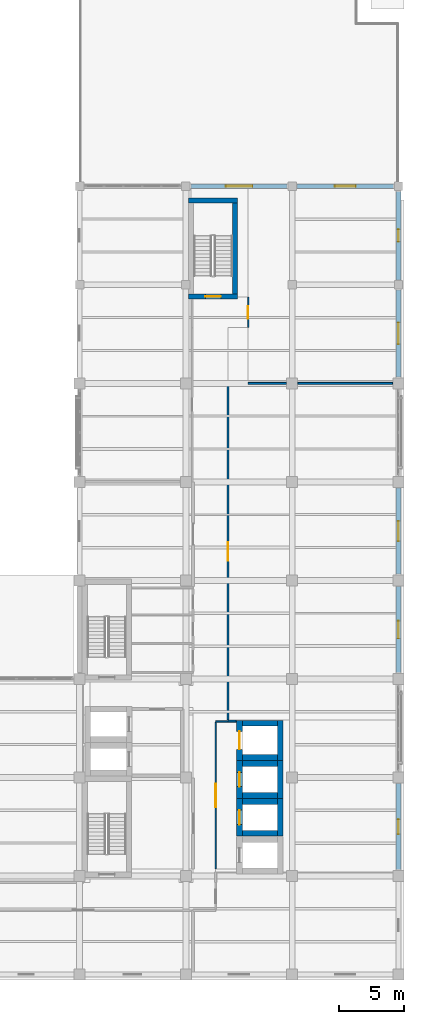
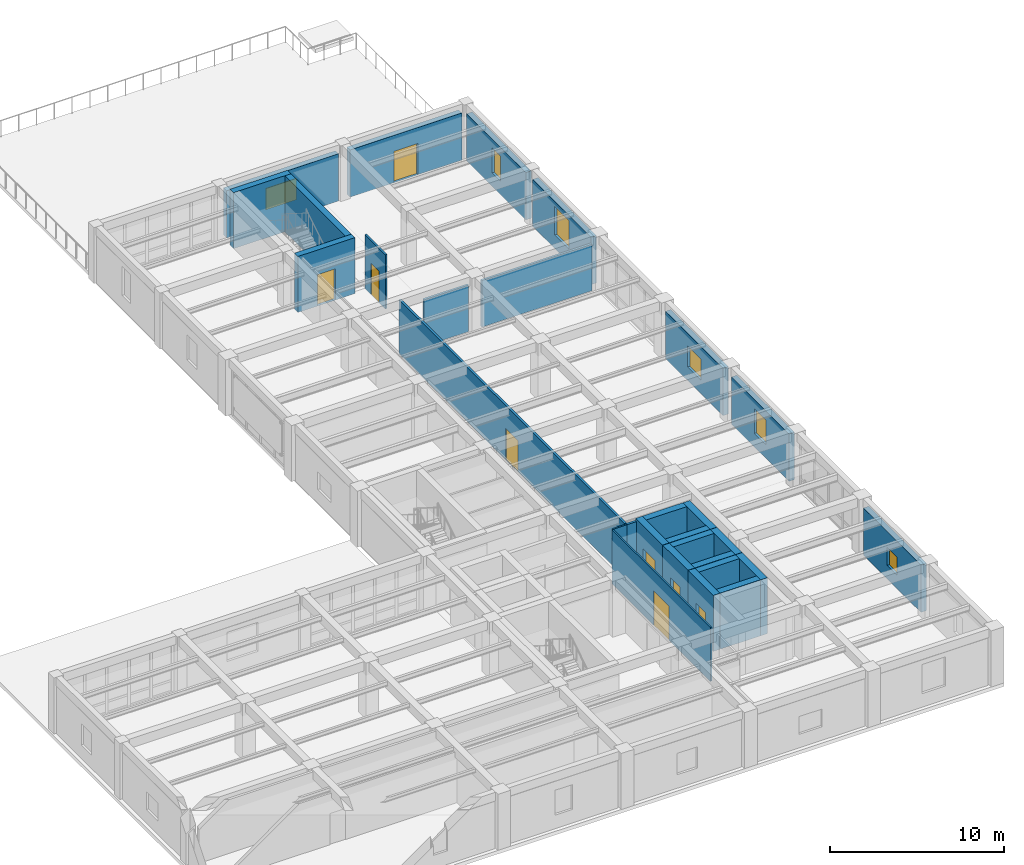
# One storey, part 13 of 22: 29 walls, 8 doors, 6 windows, 14 openings.
"""IFC4 building model written with IfcOpenShell, lengths in metres."""

from ifc_helpers import new_model, si_unit, direction, frame, frame_2d, origin, place, context, subcontext, project, spatial, rectangle, extrude, material, layer, layer_set, type_object, element, fill, save


model = new_model("IFC4")

# Units and contexts
model_context = context("Model", 3, precision=1e-05, world=origin(), true_north=direction((0.0, 1.0)))
body_context = subcontext(model_context, "Body", "Model", "MODEL_VIEW")
ifc_project = project(units=[si_unit("LENGTHUNIT", "METRE"), si_unit("AREAUNIT", "SQUARE_METRE"), si_unit("VOLUMEUNIT", "CUBIC_METRE"), si_unit("PLANEANGLEUNIT", "RADIAN"), si_unit("MASSUNIT", "GRAM", prefix="KILO")], contexts=[model_context])

# Site, building, storey
site_placement = place(None, origin())
site = spatial("IfcSite", under=ifc_project, at=site_placement, CompositionType="ELEMENT")
building_placement = place(site_placement, origin())
building = spatial("IfcBuilding", under=site, at=building_placement, Name="Qandaris Square Conservatory and Botanical Centre", CompositionType="ELEMENT")
storey_placement = place(building_placement, frame((0.0, 0.0, 19.800048828125)))
storey = spatial("IfcBuildingStorey", under=building, at=storey_placement, Name="L04", CompositionType="ELEMENT", Elevation=19.800048828125)

# Wall
ifc_material_1 = material(Name="Gypsum Plasterboard", Category="gypsum")
ifc_layer_1 = layer(ifc_material_1, 0.14990234375)
ifc_layer_set_1 = layer_set([ifc_layer_1], Name="Gypsum Plasterboard")
wall_type_1 = type_object("IfcWallType", Name="Acoustic Laboratory Partition 150mm", PredefinedType="PARTITIONING", material=ifc_layer_set_1)
wall_1_placement = place(storey_placement, frame((150.64990234375, 36.14990234375, 0.0), z_axis=(0.0, 0.0, 1.0), x_axis=(1.0, 0.0, 0.0)))
element("IfcWall", 1, at=wall_1_placement, inside=storey, type_object=wall_type_1, Name="Interior Partition IW-L04-0191", PredefinedType="PARTITIONING", context=body_context, shape_type="SweptSolid", body=[
    extrude(rectangle(XDim=0.6201171875, YDim=0.14990234375, at=frame_2d((0.31005859375, 0.0))), origin(), (0.0, 0.0, 1.0), 3.804931640625),
])

# Wall, opening, door
wall_2_placement = place(storey_placement, frame((150.64990234375, 62.199951171875, 0.0), z_axis=(0.0, 0.0, 1.0), x_axis=(0.0, -1.0, 0.0)))
wall_2 = element("IfcWall", 2, at=wall_2_placement, inside=storey, type_object=wall_type_1, Name="Interior Partition IW-L04-0202", PredefinedType="PARTITIONING", context=body_context, shape_type="SweptSolid", body=[
    extrude(rectangle(XDim=25.949951171875, YDim=0.14990234375, at=frame_2d((12.97509765625, 0.0))), origin(), (0.0, 0.0, 1.0), 3.804931640625),
])
opening_1_placement = place(wall_2_placement, frame((12.27490234375, 0.0, 0.0)))
opening_1 = element("IfcOpeningElement", 3, at=opening_1_placement, cuts=wall_2, Name="Opening D-LAB1", PredefinedType="OPENING", context=body_context, shape_type="SweptSolid", body=[
    extrude(rectangle(XDim=1.39990234375, YDim=2.199951171875, at=frame_2d((0.699951171875, 1.10009765625))), frame((0.0, 0.0869140625, 0.0), z_axis=(0.0, -1.0, 0.0), x_axis=(1.0, 0.0, 0.0)), (0.0, 0.0, 1.0), 0.173828125),
])
ifc_material_2 = material(Name="Engineered Oak Timber", Category="wood")
door_type_1 = type_object("IfcDoorType", Name="Research Laboratory Leaf-and-Half Door 1400x2200", OperationType="DOUBLE_DOOR_SINGLE_SWING", PredefinedType="DOOR", material=ifc_material_2)
door_1_placement = place(opening_1_placement, frame((1.39990234375, 0.0, 0.0), z_axis=(0.0, 0.0, 1.0), x_axis=(-1.0, 0.0, 0.0)))
door_1 = element("IfcDoor", 4, at=door_1_placement, inside=storey, type_object=door_type_1, Name="DR-0178 Halophyte Salt-Tolerance Analytical Laboratory Door", OperationType="DOUBLE_DOOR_SINGLE_SWING", OverallHeight=2.199951171875, OverallWidth=1.39990234375, PredefinedType="DOOR", context=body_context, shape_type="SweptSolid", body=[
    extrude(rectangle(XDim=1.39990234375, YDim=2.199951171875, at=frame_2d((0.699951171875, 1.10009765625))), frame((0.0, 0.02490234375, 0.0), z_axis=(0.0, -1.0, 0.0), x_axis=(1.0, 0.0, 0.0)), (0.0, 0.0, 1.0), 0.050048828125),
])
fill(opening_1, door_1)

# Walls
wall_3_placement = place(storey_placement, frame((152.199951171875, 62.199951171875, 0.0), z_axis=(0.0, 0.0, 1.0), x_axis=(1.0, 0.0, 0.0)))
element("IfcWall", 5, at=wall_3_placement, inside=storey, type_object=wall_type_1, Name="Interior Partition IW-L04-0210", PredefinedType="PARTITIONING", context=body_context, shape_type="SweptSolid", body=[
    extrude(rectangle(XDim=2.955078125, YDim=0.14990234375, at=frame_2d((1.4775390625, 0.0))), origin(), (0.0, 0.0, 1.0), 3.27490234375),
])
wall_4_placement = place(storey_placement, frame((156.044921875, 62.199951171875, 0.0), z_axis=(0.0, 0.0, 1.0), x_axis=(1.0, 0.0, 0.0)))
element("IfcWall", 6, at=wall_4_placement, inside=storey, type_object=wall_type_1, Name="Interior Partition IW-L04-0211", PredefinedType="PARTITIONING", context=body_context, shape_type="SweptSolid", body=[
    extrude(rectangle(XDim=7.31005859375, YDim=0.14990234375, at=frame_2d((3.655029296875, 0.0))), origin(), (0.0, 0.0, 1.0), 3.27490234375),
])

# Wall, opening, window
ifc_material_3 = material(Name="Precast concrete C40/50", Category="concrete")
ifc_layer_2 = layer(ifc_material_3, 0.360107421875)
ifc_layer_set_2 = layer_set([ifc_layer_2], Name="Precast concrete C40/50")
wall_type_2 = type_object("IfcWallType", Name="Architectural Precast Cladding Wall 360mm", PredefinedType="SOLIDWALL", material=ifc_layer_set_2)
wall_5_placement = place(storey_placement, frame((163.800048828125, 24.68505859375, 0.0), z_axis=(0.0, 0.0, 1.0), x_axis=(0.0, 1.0, 0.0)))
wall_5 = element("IfcWall", 7, at=wall_5_placement, inside=storey, type_object=wall_type_2, Name="Exterior Wall EW-TWR-L04-2-2", PredefinedType="SOLIDWALL", context=body_context, shape_type="SweptSolid", body=[
    extrude(rectangle(XDim=6.6298828125, YDim=0.360107421875, at=frame_2d((3.31494140625, 0.0))), origin(), (0.0, 0.0, 1.0), 3.324951171875),
])
opening_2_placement = place(wall_5_placement, frame((2.739990234375, 0.0, 0.949951171875)))
opening_2 = element("IfcOpeningElement", 8, at=opening_2_placement, cuts=wall_5, Name="Opening WN-17", PredefinedType="OPENING", context=body_context, shape_type="SweptSolid", body=[
    extrude(rectangle(XDim=1.14990234375, YDim=1.25, at=frame_2d((0.574951171875, 0.625))), frame((0.0, 0.19189453125, 0.0), z_axis=(0.0, -1.0, 0.0), x_axis=(1.0, 0.0, 0.0)), (0.0, 0.0, 1.0), 0.384033203125),
])
ifc_material_4 = material(Name="Tempered Low-E Glass", Category="glass")
window_type_1 = type_object("IfcWindowType", Name="Solar Control Window 1150x1250", PartitioningType="SINGLE_PANEL", PredefinedType="WINDOW", material=ifc_material_4)
window_1_placement = place(opening_2_placement, origin())
window_1 = element("IfcWindow", 9, at=window_1_placement, inside=storey, type_object=window_type_1, Name="Window EW-TWR-L04-2-2", OverallHeight=1.25, OverallWidth=1.14990234375, PartitioningType="SINGLE_PANEL", PredefinedType="WINDOW", context=body_context, shape_type="SweptSolid", body=[
    extrude(rectangle(XDim=1.14990234375, YDim=1.25, at=frame_2d((0.574951171875, 0.625))), frame((0.0, 0.030029296875, 0.0), z_axis=(0.0, -1.0, 0.0), x_axis=(1.0, 0.0, 0.0)), (0.0, 0.0, 1.0), 0.06005859375),
])
fill(opening_2, window_1)

wall_6_placement = place(storey_placement, frame((163.800048828125, 39.885009765625, 0.0), z_axis=(0.0, 0.0, 1.0), x_axis=(0.0, 1.0, 0.0)))
wall_6 = element("IfcWall", 10, at=wall_6_placement, inside=storey, type_object=wall_type_2, Name="Exterior Wall EW-TWR-L04-2-4", PredefinedType="SOLIDWALL", context=body_context, shape_type="SweptSolid", body=[
    extrude(rectangle(XDim=6.6298828125, YDim=0.360107421875, at=frame_2d((3.31494140625, 0.0))), origin(), (0.0, 0.0, 1.0), 3.324951171875),
])
opening_3_placement = place(wall_6_placement, frame((2.639892578125, 0.0, 0.949951171875)))
opening_3 = element("IfcOpeningElement", 11, at=opening_3_placement, cuts=wall_6, Name="Opening WN-23", PredefinedType="OPENING", context=body_context, shape_type="SweptSolid", body=[
    extrude(rectangle(XDim=1.35009765625, YDim=1.75, at=frame_2d((0.675048828125, 0.875))), frame((0.0, 0.19189453125, 0.0), z_axis=(0.0, -1.0, 0.0), x_axis=(1.0, 0.0, 0.0)), (0.0, 0.0, 1.0), 0.384033203125),
])
window_type_2 = type_object("IfcWindowType", Name="Solar Control Window 1350x1750", PartitioningType="SINGLE_PANEL", PredefinedType="WINDOW", material=ifc_material_4)
window_2_placement = place(opening_3_placement, origin())
window_2 = element("IfcWindow", 12, at=window_2_placement, inside=storey, type_object=window_type_2, Name="Window EW-TWR-L04-2-4", OverallHeight=1.75, OverallWidth=1.35009765625, PartitioningType="SINGLE_PANEL", PredefinedType="WINDOW", context=body_context, shape_type="SweptSolid", body=[
    extrude(rectangle(XDim=1.35009765625, YDim=1.75, at=frame_2d((0.675048828125, 0.875))), frame((0.0, 0.030029296875, 0.0), z_axis=(0.0, -1.0, 0.0), x_axis=(1.0, 0.0, 0.0)), (0.0, 0.0, 1.0), 0.06005859375),
])
fill(opening_3, window_2)

wall_7_placement = place(storey_placement, frame((163.800048828125, 47.485107421875, 0.0), z_axis=(0.0, 0.0, 1.0), x_axis=(0.0, 1.0, 0.0)))
wall_7 = element("IfcWall", 13, at=wall_7_placement, inside=storey, type_object=wall_type_2, Name="Exterior Wall EW-TWR-L04-2-5", PredefinedType="SOLIDWALL", context=body_context, shape_type="SweptSolid", body=[
    extrude(rectangle(XDim=6.6298828125, YDim=0.360107421875, at=frame_2d((3.31494140625, 0.0))), origin(), (0.0, 0.0, 1.0), 3.324951171875),
])
opening_4_placement = place(wall_7_placement, frame((2.5400390625, 0.0, 0.949951171875)))
opening_4 = element("IfcOpeningElement", 14, at=opening_4_placement, cuts=wall_7, Name="Opening WN-26", PredefinedType="OPENING", context=body_context, shape_type="SweptSolid", body=[
    extrude(rectangle(XDim=1.550048828125, YDim=1.5, at=frame_2d((0.77490234375, 0.75))), frame((0.0, 0.19189453125, 0.0), z_axis=(0.0, -1.0, 0.0), x_axis=(1.0, 0.0, 0.0)), (0.0, 0.0, 1.0), 0.384033203125),
])
window_type_3 = type_object("IfcWindowType", Name="Solar Control Window 1550x1500", PartitioningType="DOUBLE_PANEL_VERTICAL", PredefinedType="WINDOW", material=ifc_material_4)
window_3_placement = place(opening_4_placement, origin())
window_3 = element("IfcWindow", 15, at=window_3_placement, inside=storey, type_object=window_type_3, Name="Window EW-TWR-L04-2-5", OverallHeight=1.5, OverallWidth=1.550048828125, PartitioningType="DOUBLE_PANEL_VERTICAL", PredefinedType="WINDOW", context=body_context, shape_type="SweptSolid", body=[
    extrude(rectangle(XDim=1.550048828125, YDim=1.5, at=frame_2d((0.77490234375, 0.75))), frame((0.0, 0.030029296875, 0.0), z_axis=(0.0, -1.0, 0.0), x_axis=(1.0, 0.0, 0.0)), (0.0, 0.0, 1.0), 0.06005859375),
])
fill(opening_4, window_3)

wall_8_placement = place(storey_placement, frame((163.800048828125, 62.68505859375, 0.0), z_axis=(0.0, 0.0, 1.0), x_axis=(0.0, 1.0, 0.0)))
wall_8 = element("IfcWall", 16, at=wall_8_placement, inside=storey, type_object=wall_type_2, Name="Exterior Wall EW-TWR-L04-2-7", PredefinedType="SOLIDWALL", context=body_context, shape_type="SweptSolid", body=[
    extrude(rectangle(XDim=6.72998046875, YDim=0.360107421875, at=frame_2d((3.364990234375, 0.0))), origin(), (0.0, 0.0, 1.0), 3.324951171875),
])
opening_5_placement = place(wall_8_placement, frame((2.5400390625, 0.0, 0.949951171875)))
opening_5 = element("IfcOpeningElement", 17, at=opening_5_placement, cuts=wall_8, Name="Opening WN-08", PredefinedType="OPENING", context=body_context, shape_type="SweptSolid", body=[
    extrude(rectangle(XDim=1.64990234375, YDim=2.0, at=frame_2d((0.824951171875, 1.0))), frame((0.0, 0.19189453125, 0.0), z_axis=(0.0, -1.0, 0.0), x_axis=(1.0, 0.0, 0.0)), (0.0, 0.0, 1.0), 0.384033203125),
])
window_type_4 = type_object("IfcWindowType", Name="Seminar Courtyard Window 1650x2000", PartitioningType="DOUBLE_PANEL_VERTICAL", PredefinedType="WINDOW", material=ifc_material_4)
window_4_placement = place(opening_5_placement, origin())
window_4 = element("IfcWindow", 18, at=window_4_placement, inside=storey, type_object=window_type_4, Name="Window EW-TWR-L04-2-7", OverallHeight=2.0, OverallWidth=1.64990234375, PartitioningType="DOUBLE_PANEL_VERTICAL", PredefinedType="WINDOW", context=body_context, shape_type="SweptSolid", body=[
    extrude(rectangle(XDim=1.64990234375, YDim=2.0, at=frame_2d((0.824951171875, 1.0))), frame((0.0, 0.030029296875, 0.0), z_axis=(0.0, -1.0, 0.0), x_axis=(1.0, 0.0, 0.0)), (0.0, 0.0, 1.0), 0.06005859375),
])
fill(opening_5, window_4)

wall_9_placement = place(storey_placement, frame((163.800048828125, 70.18505859375, 0.0), z_axis=(0.0, 0.0, 1.0), x_axis=(0.0, 1.0, 0.0)))
wall_9 = element("IfcWall", 19, at=wall_9_placement, inside=storey, type_object=wall_type_2, Name="Exterior Wall EW-TWR-L04-2-8", PredefinedType="SOLIDWALL", context=body_context, shape_type="SweptSolid", body=[
    extrude(rectangle(XDim=6.829833984375, YDim=0.360107421875, at=frame_2d((3.4150390625, 0.0))), origin(), (0.0, 0.0, 1.0), 3.324951171875),
])
opening_6_placement = place(wall_9_placement, frame((2.93994140625, 0.0, 0.949951171875)))
opening_6 = element("IfcOpeningElement", 20, at=opening_6_placement, cuts=wall_9, Name="Opening WN-15", PredefinedType="OPENING", context=body_context, shape_type="SweptSolid", body=[
    extrude(rectangle(XDim=0.949951171875, YDim=1.75, at=frame_2d((0.47509765625, 0.875))), frame((0.0, 0.19189453125, 0.0), z_axis=(0.0, -1.0, 0.0), x_axis=(1.0, 0.0, 0.0)), (0.0, 0.0, 1.0), 0.384033203125),
])
window_type_5 = type_object("IfcWindowType", Name="Solar Control Window 950x1750", PartitioningType="SINGLE_PANEL", PredefinedType="WINDOW", material=ifc_material_4)
window_5_placement = place(opening_6_placement, origin())
window_5 = element("IfcWindow", 21, at=window_5_placement, inside=storey, type_object=window_type_5, Name="Window EW-TWR-L04-2-8", OverallHeight=1.75, OverallWidth=0.949951171875, PartitioningType="SINGLE_PANEL", PredefinedType="WINDOW", context=body_context, shape_type="SweptSolid", body=[
    extrude(rectangle(XDim=0.949951171875, YDim=1.75, at=frame_2d((0.47509765625, 0.875))), frame((0.0, 0.030029296875, 0.0), z_axis=(0.0, -1.0, 0.0), x_axis=(1.0, 0.0, 0.0)), (0.0, 0.0, 1.0), 0.06005859375),
])
fill(opening_6, window_5)

# Wall, opening, door
wall_10_placement = place(storey_placement, frame((163.4150390625, 77.39990234375, 0.0), z_axis=(0.0, 0.0, 1.0), x_axis=(-1.0, 0.0, 0.0)))
wall_10 = element("IfcWall", 22, at=wall_10_placement, inside=storey, type_object=wall_type_2, Name="Exterior Wall EW-TWR-L04-3-1", PredefinedType="SOLIDWALL", context=body_context, shape_type="SweptSolid", body=[
    extrude(rectangle(XDim=7.429931640625, YDim=0.360107421875, at=frame_2d((3.71484375, 0.0))), origin(), (0.0, 0.0, 1.0), 3.324951171875),
])
opening_7_placement = place(wall_10_placement, frame((2.9150390625, 0.0, 0.0)))
opening_7 = element("IfcOpeningElement", 23, at=opening_7_placement, cuts=wall_10, Name="Opening ED-T4", PredefinedType="OPENING", context=body_context, shape_type="SweptSolid", body=[
    extrude(rectangle(XDim=1.60009765625, YDim=2.199951171875, at=frame_2d((0.800048828125, 1.10009765625))), frame((0.0, 0.19189453125, 0.0), z_axis=(0.0, -1.0, 0.0), x_axis=(1.0, 0.0, 0.0)), (0.0, 0.0, 1.0), 0.384033203125),
])
ifc_material_5 = material(Name="Anodised Aluminium", Category="aluminium")
door_type_2 = type_object("IfcDoorType", Name="Terrace Garden Glazed Access Door 1600x2200", OperationType="DOUBLE_DOOR_SINGLE_SWING", PredefinedType="DOOR", material=ifc_material_5)
door_2_placement = place(opening_7_placement, frame((1.60009765625, 0.0, 0.0), z_axis=(0.0, 0.0, 1.0), x_axis=(-1.0, 0.0, 0.0)))
door_2 = element("IfcDoor", 24, at=door_2_placement, inside=storey, type_object=door_type_2, Name="DR-0191 Exterior Exit Door TD-TER-L04", OperationType="DOUBLE_DOOR_SINGLE_SWING", OverallHeight=2.199951171875, OverallWidth=1.60009765625, PredefinedType="DOOR", context=body_context, shape_type="SweptSolid", body=[
    extrude(rectangle(XDim=1.60009765625, YDim=2.199951171875, at=frame_2d((0.800048828125, 1.10009765625))), frame((0.0, 0.02490234375, 0.0), z_axis=(0.0, -1.0, 0.0), x_axis=(1.0, 0.0, 0.0)), (0.0, 0.0, 1.0), 0.050048828125),
])
fill(opening_7, door_2)

# Wall, opening, window
wall_11_placement = place(storey_placement, frame((155.215087890625, 77.39990234375, 0.0), z_axis=(0.0, 0.0, 1.0), x_axis=(-1.0, 0.0, 0.0)))
wall_11 = element("IfcWall", 25, at=wall_11_placement, inside=storey, type_object=wall_type_2, Name="Exterior Wall EW-TWR-L04-3-2", PredefinedType="SOLIDWALL", context=body_context, shape_type="SweptSolid", body=[
    extrude(rectangle(XDim=7.43017578125, YDim=0.360107421875, at=frame_2d((3.715087890625, 0.0))), origin(), (0.0, 0.0, 1.0), 3.324951171875),
])
opening_8_placement = place(wall_11_placement, frame((2.68994140625, 0.0, 0.949951171875)))
opening_8 = element("IfcOpeningElement", 26, at=opening_8_placement, cuts=wall_11, Name="Opening WN-34", PredefinedType="OPENING", context=body_context, shape_type="SweptSolid", body=[
    extrude(rectangle(XDim=2.050048828125, YDim=1.5, at=frame_2d((1.02490234375, 0.75))), frame((0.0, 0.19189453125, 0.0), z_axis=(0.0, -1.0, 0.0), x_axis=(1.0, 0.0, 0.0)), (0.0, 0.0, 1.0), 0.384033203125),
])
window_type_6 = type_object("IfcWindowType", Name="Solar Control Window 2050x1500", PartitioningType="DOUBLE_PANEL_VERTICAL", PredefinedType="WINDOW", material=ifc_material_4)
window_6_placement = place(opening_8_placement, origin())
window_6 = element("IfcWindow", 27, at=window_6_placement, inside=storey, type_object=window_type_6, Name="Window EW-TWR-L04-3-2", OverallHeight=1.5, OverallWidth=2.050048828125, PartitioningType="DOUBLE_PANEL_VERTICAL", PredefinedType="WINDOW", context=body_context, shape_type="SweptSolid", body=[
    extrude(rectangle(XDim=2.050048828125, YDim=1.5, at=frame_2d((1.02490234375, 0.75))), frame((0.0, 0.030029296875, 0.0), z_axis=(0.0, -1.0, 0.0), x_axis=(1.0, 0.0, 0.0)), (0.0, 0.0, 1.0), 0.06005859375),
])
fill(opening_8, window_6)

# Wall, opening, door
ifc_layer_3 = layer(ifc_material_4, 0.10009765625)
ifc_layer_set_3 = layer_set([ifc_layer_3], Name="Tempered Low-E Glass")
wall_type_3 = type_object("IfcWallType", Name="Framed Acoustic Glazed Gallery Screen 100mm", PredefinedType="PARTITIONING", material=ifc_layer_set_3)
wall_12_placement = place(storey_placement, frame((149.699951171875, 24.75, 0.0), z_axis=(0.0, 0.0, 1.0), x_axis=(0.0, 1.0, 0.0)))
wall_12 = element("IfcWall", 28, at=wall_12_placement, inside=storey, type_object=wall_type_3, Name="Interior Partition IW-L04-0189", PredefinedType="PARTITIONING", context=body_context, shape_type="SweptSolid", body=[
    extrude(rectangle(XDim=11.300048828125, YDim=0.10009765625, at=frame_2d((5.64990234375, 0.0))), origin(), (0.0, 0.0, 1.0), 3.804931640625),
])
opening_9_placement = place(wall_12_placement, frame((4.75, 0.0, 0.0)))
opening_9 = element("IfcOpeningElement", 29, at=opening_9_placement, cuts=wall_12, Name="Opening D-GL1", PredefinedType="OPENING", context=body_context, shape_type="SweptSolid", body=[
    extrude(rectangle(XDim=1.800048828125, YDim=2.39990234375, at=frame_2d((0.89990234375, 1.199951171875))), frame((0.0, 0.06201171875, 0.0), z_axis=(0.0, -1.0, 0.0), x_axis=(1.0, 0.0, 0.0)), (0.0, 0.0, 1.0), 0.1240234375),
])
door_type_3 = type_object("IfcDoorType", Name="Visitor Gallery Glazed Double Door 1800x2400", OperationType="DOUBLE_DOOR_SINGLE_SWING", PredefinedType="DOOR", material=ifc_material_5)
door_3_placement = place(opening_9_placement, frame((1.800048828125, 0.0, 0.0), z_axis=(0.0, 0.0, 1.0), x_axis=(-1.0, 0.0, 0.0)))
door_3 = element("IfcDoor", 30, at=door_3_placement, inside=storey, type_object=door_type_3, Name="DR-0175 Main Circulation Corridor L04 Door", OperationType="DOUBLE_DOOR_SINGLE_SWING", OverallHeight=2.39990234375, OverallWidth=1.800048828125, PredefinedType="DOOR", context=body_context, shape_type="SweptSolid", body=[
    extrude(rectangle(XDim=1.800048828125, YDim=2.39990234375, at=frame_2d((0.89990234375, 1.199951171875))), frame((0.0, 0.02490234375, 0.0), z_axis=(0.0, -1.0, 0.0), x_axis=(1.0, 0.0, 0.0)), (0.0, 0.0, 1.0), 0.050048828125),
])
fill(opening_9, door_3)

# Walls
wall_13_placement = place(storey_placement, frame((149.699951171875, 36.125, 0.0), z_axis=(0.0, 0.0, 1.0), x_axis=(1.0, 0.0, 0.0)))
element("IfcWall", 31, at=wall_13_placement, inside=storey, type_object=wall_type_3, Name="Interior Partition IW-L04-0190", PredefinedType="PARTITIONING", context=body_context, shape_type="SweptSolid", body=[
    extrude(rectangle(XDim=0.949951171875, YDim=0.10009765625, at=frame_2d((0.47509765625, 0.0))), origin(), (0.0, 0.0, 1.0), 3.804931640625),
])
ifc_material_6 = material(Name="Concrete C50/60", Category="concrete")
ifc_layer_4 = layer(ifc_material_6, 0.449951171875)
ifc_layer_set_4 = layer_set([ifc_layer_4], Name="Concrete C50/60")
wall_type_4 = type_object("IfcWallType", Name="RC Coupled Core Shear Wall 450mm", PredefinedType="SHEAR", material=ifc_layer_set_4)
for number, where, z_axis, x_axis, name in (
    (32, (151.75, 27.4951171875, 0.0), (0.0, 0.0, 1.0), (1.0, 0.0, 0.0), "Lift PL2 Shaft Wall South (L04)"),
    (33, (151.75, 29.945068359375, 0.0), (0.0, 0.0, 1.0), (1.0, 0.0, 0.0), "Lift PL2 Shaft Wall North (L04)"),
):
    element("IfcWall", number, at=place(storey_placement, frame(where, z_axis=z_axis, x_axis=x_axis)), inside=storey, type_object=wall_type_4, Name=name, PredefinedType="SHEAR", context=body_context, shape_type="SweptSolid", body=[
        extrude(rectangle(XDim=2.699951171875, YDim=0.449951171875, at=frame_2d((1.35009765625, 0.0))), origin(), (0.0, 0.0, 1.0), 3.93994140625),
    ])

# Wall, opening, door
wall_14_placement = place(storey_placement, frame((151.52490234375, 27.27001953125, 0.0), z_axis=(0.0, 0.0, 1.0), x_axis=(0.0, 1.0, 0.0)))
wall_14 = element("IfcWall", 34, at=wall_14_placement, inside=storey, type_object=wall_type_4, Name="Lift PL2 Shaft Wall West (L04)", PredefinedType="SHEAR", context=body_context, shape_type="SweptSolid", body=[
    extrude(rectangle(XDim=2.89990234375, YDim=0.449951171875, at=frame_2d((1.449951171875, 0.0))), origin(), (0.0, 0.0, 1.0), 3.93994140625),
])
opening_10_placement = place(wall_14_placement, frame((0.89990234375, 0.0, 0.0)))
opening_10 = element("IfcOpeningElement", 35, at=opening_10_placement, cuts=wall_14, Name="Opening LD-PAX", PredefinedType="OPENING", context=body_context, shape_type="SweptSolid", body=[
    extrude(rectangle(XDim=1.10009765625, YDim=2.199951171875, at=frame_2d((0.550048828125, 1.10009765625))), frame((0.0, 0.23681640625, 0.0), z_axis=(0.0, -1.0, 0.0), x_axis=(1.0, 0.0, 0.0)), (0.0, 0.0, 1.0), 0.473876953125),
])
door_type_4 = type_object("IfcDoorType", Name="Passenger Lift Sliding Landing Door 1100x2200", OperationType="DOUBLE_DOOR_SLIDING", PredefinedType="DOOR", material=ifc_material_5)
door_4_placement = place(opening_10_placement, origin())
door_4 = element("IfcDoor", 36, at=door_4_placement, inside=storey, type_object=door_type_4, Name="DR-0196 Lift PL2 Landing Door (L04)", OperationType="DOUBLE_DOOR_SLIDING", OverallHeight=2.199951171875, OverallWidth=1.10009765625, PredefinedType="DOOR", context=body_context, shape_type="SweptSolid", body=[
    extrude(rectangle(XDim=1.10009765625, YDim=2.199951171875, at=frame_2d((0.550048828125, 1.10009765625))), frame((0.0, 0.02490234375, 0.0), z_axis=(0.0, -1.0, 0.0), x_axis=(1.0, 0.0, 0.0)), (0.0, 0.0, 1.0), 0.050048828125),
])
fill(opening_10, door_4)

# Walls
wall_15_placement = place(storey_placement, frame((154.675048828125, 27.27001953125, 0.0), z_axis=(0.0, 0.0, 1.0), x_axis=(0.0, 1.0, 0.0)))
element("IfcWall", 37, at=wall_15_placement, inside=storey, type_object=wall_type_4, Name="Lift PL2 Shaft Wall East (L04)", PredefinedType="SHEAR", context=body_context, shape_type="SweptSolid", body=[
    extrude(rectangle(XDim=2.89990234375, YDim=0.449951171875, at=frame_2d((1.449951171875, 0.0))), origin(), (0.0, 0.0, 1.0), 3.93994140625),
])
for number, where, z_axis, x_axis, name in (
    (38, (151.75, 30.4150390625, 0.0), (0.0, 0.0, 1.0), (1.0, 0.0, 0.0), "Lift PL3 Shaft Wall South (L04)"),
    (39, (151.75, 32.864990234375, 0.0), (0.0, 0.0, 1.0), (1.0, 0.0, 0.0), "Lift PL3 Shaft Wall North (L04)"),
):
    element("IfcWall", number, at=place(storey_placement, frame(where, z_axis=z_axis, x_axis=x_axis)), inside=storey, type_object=wall_type_4, Name=name, PredefinedType="SHEAR", context=body_context, shape_type="SweptSolid", body=[
        extrude(rectangle(XDim=2.699951171875, YDim=0.449951171875, at=frame_2d((1.35009765625, 0.0))), origin(), (0.0, 0.0, 1.0), 3.93994140625),
    ])

# Wall, opening, door
wall_16_placement = place(storey_placement, frame((151.52490234375, 30.18994140625, 0.0), z_axis=(0.0, 0.0, 1.0), x_axis=(0.0, 1.0, 0.0)))
wall_16 = element("IfcWall", 40, at=wall_16_placement, inside=storey, type_object=wall_type_4, Name="Lift PL3 Shaft Wall West (L04)", PredefinedType="SHEAR", context=body_context, shape_type="SweptSolid", body=[
    extrude(rectangle(XDim=2.900146484375, YDim=0.449951171875, at=frame_2d((1.4501953125, 0.0))), origin(), (0.0, 0.0, 1.0), 3.93994140625),
])
opening_11_placement = place(wall_16_placement, frame((0.89990234375, 0.0, 0.0)))
opening_11 = element("IfcOpeningElement", 41, at=opening_11_placement, cuts=wall_16, Name="Opening LD-PAX", PredefinedType="OPENING", context=body_context, shape_type="SweptSolid", body=[
    extrude(rectangle(XDim=1.10009765625, YDim=2.199951171875, at=frame_2d((0.550048828125, 1.10009765625))), frame((0.0, 0.23681640625, 0.0), z_axis=(0.0, -1.0, 0.0), x_axis=(1.0, 0.0, 0.0)), (0.0, 0.0, 1.0), 0.473876953125),
])
door_5_placement = place(opening_11_placement, origin())
door_5 = element("IfcDoor", 42, at=door_5_placement, inside=storey, type_object=door_type_4, Name="DR-0197 Lift PL3 Landing Door (L04)", OperationType="DOUBLE_DOOR_SLIDING", OverallHeight=2.199951171875, OverallWidth=1.10009765625, PredefinedType="DOOR", context=body_context, shape_type="SweptSolid", body=[
    extrude(rectangle(XDim=1.10009765625, YDim=2.199951171875, at=frame_2d((0.550048828125, 1.10009765625))), frame((0.0, 0.02490234375, 0.0), z_axis=(0.0, -1.0, 0.0), x_axis=(1.0, 0.0, 0.0)), (0.0, 0.0, 1.0), 0.050048828125),
])
fill(opening_11, door_5)

# Walls
wall_17_placement = place(storey_placement, frame((154.675048828125, 30.18994140625, 0.0), z_axis=(0.0, 0.0, 1.0), x_axis=(0.0, 1.0, 0.0)))
element("IfcWall", 43, at=wall_17_placement, inside=storey, type_object=wall_type_4, Name="Lift PL3 Shaft Wall East (L04)", PredefinedType="SHEAR", context=body_context, shape_type="SweptSolid", body=[
    extrude(rectangle(XDim=2.900146484375, YDim=0.449951171875, at=frame_2d((1.4501953125, 0.0))), origin(), (0.0, 0.0, 1.0), 3.93994140625),
])
for number, where, z_axis, x_axis, name in (
    (44, (151.75, 33.3349609375, 0.0), (0.0, 0.0, 1.0), (1.0, 0.0, 0.0), "Lift GL1 Shaft Wall South (L04)"),
    (45, (151.75, 35.985107421875, 0.0), (0.0, 0.0, 1.0), (1.0, 0.0, 0.0), "Lift GL1 Shaft Wall North (L04)"),
):
    element("IfcWall", number, at=place(storey_placement, frame(where, z_axis=z_axis, x_axis=x_axis)), inside=storey, type_object=wall_type_4, Name=name, PredefinedType="SHEAR", context=body_context, shape_type="SweptSolid", body=[
        extrude(rectangle(XDim=2.699951171875, YDim=0.449951171875, at=frame_2d((1.35009765625, 0.0))), origin(), (0.0, 0.0, 1.0), 3.93994140625),
    ])

# Wall, opening, door
wall_18_placement = place(storey_placement, frame((151.52490234375, 33.110107421875, 0.0), z_axis=(0.0, 0.0, 1.0), x_axis=(0.0, 1.0, 0.0)))
wall_18 = element("IfcWall", 46, at=wall_18_placement, inside=storey, type_object=wall_type_4, Name="Lift GL1 Shaft Wall West (L04)", PredefinedType="SHEAR", context=body_context, shape_type="SweptSolid", body=[
    extrude(rectangle(XDim=3.099853515625, YDim=0.449951171875, at=frame_2d((1.5498046875, 0.0))), origin(), (0.0, 0.0, 1.0), 3.93994140625),
])
opening_12_placement = place(wall_18_placement, frame((0.85009765625, 0.0, 0.0)))
opening_12 = element("IfcOpeningElement", 47, at=opening_12_placement, cuts=wall_18, Name="Opening LD-GDS", PredefinedType="OPENING", context=body_context, shape_type="SweptSolid", body=[
    extrude(rectangle(XDim=1.39990234375, YDim=2.300048828125, at=frame_2d((0.699951171875, 1.14990234375))), frame((0.0, 0.23681640625, 0.0), z_axis=(0.0, -1.0, 0.0), x_axis=(1.0, 0.0, 0.0)), (0.0, 0.0, 1.0), 0.473876953125),
])
ifc_material_7 = material(Name="Steel S355", Category="steel")
door_type_5 = type_object("IfcDoorType", Name="Goods & Herbarium Lift Sliding Landing Door 1400x2300", OperationType="DOUBLE_DOOR_SLIDING", PredefinedType="DOOR", material=ifc_material_7)
door_6_placement = place(opening_12_placement, origin())
door_6 = element("IfcDoor", 48, at=door_6_placement, inside=storey, type_object=door_type_5, Name="DR-0194 Lift GL1 Landing Door (L04)", OperationType="DOUBLE_DOOR_SLIDING", OverallHeight=2.300048828125, OverallWidth=1.39990234375, PredefinedType="DOOR", context=body_context, shape_type="SweptSolid", body=[
    extrude(rectangle(XDim=1.39990234375, YDim=2.300048828125, at=frame_2d((0.699951171875, 1.14990234375))), frame((0.0, 0.02490234375, 0.0), z_axis=(0.0, -1.0, 0.0), x_axis=(1.0, 0.0, 0.0)), (0.0, 0.0, 1.0), 0.050048828125),
])
fill(opening_12, door_6)

# Wall
wall_19_placement = place(storey_placement, frame((154.675048828125, 33.110107421875, 0.0), z_axis=(0.0, 0.0, 1.0), x_axis=(0.0, 1.0, 0.0)))
element("IfcWall", 49, at=wall_19_placement, inside=storey, type_object=wall_type_4, Name="Lift GL1 Shaft Wall East (L04)", PredefinedType="SHEAR", context=body_context, shape_type="SweptSolid", body=[
    extrude(rectangle(XDim=3.099853515625, YDim=0.449951171875, at=frame_2d((1.5498046875, 0.0))), origin(), (0.0, 0.0, 1.0), 3.93994140625),
])

# Wall, opening, door
ifc_layer_5 = layer(ifc_material_6, 0.39990234375)
ifc_layer_set_5 = layer_set([ifc_layer_5], Name="Concrete C50/60")
wall_type_5 = type_object("IfcWallType", Name="RC Stair Core Shear Wall 400mm", PredefinedType="SHEAR", material=ifc_layer_set_5)
wall_20_placement = place(storey_placement, frame((147.60009765625, 68.89990234375, 0.0), z_axis=(0.0, 0.0, 1.0), x_axis=(1.0, 0.0, 0.0)))
wall_20 = element("IfcWall", 50, at=wall_20_placement, inside=storey, type_object=wall_type_5, Name="ST-3 Core Shear Wall South (L04)", PredefinedType="SHEAR", context=body_context, shape_type="SweptSolid", body=[
    extrude(rectangle(XDim=3.7998046875, YDim=0.39990234375, at=frame_2d((1.89990234375, 0.0))), origin(), (0.0, 0.0, 1.0), 3.93994140625),
])
opening_13_placement = place(wall_20_placement, frame((1.300048828125, 0.0, 0.0)))
opening_13 = element("IfcOpeningElement", 51, at=opening_13_placement, cuts=wall_20, Name="Opening D-ST1", PredefinedType="OPENING", context=body_context, shape_type="SweptSolid", body=[
    extrude(rectangle(XDim=1.199951171875, YDim=2.199951171875, at=frame_2d((0.60009765625, 1.10009765625))), frame((0.0, 0.2119140625, 0.0), z_axis=(0.0, -1.0, 0.0), x_axis=(1.0, 0.0, 0.0)), (0.0, 0.0, 1.0), 0.423828125),
])
door_type_6 = type_object("IfcDoorType", Name="Exit Stair Core Fire Door 1200x2200", OperationType="NOTDEFINED", PredefinedType="DOOR", material=ifc_material_7)
door_7_placement = place(opening_13_placement, origin())
door_7 = element("IfcDoor", 52, at=door_7_placement, inside=storey, type_object=door_type_6, Name="DR-0187 ST-3 Stair Core Door (L04)", OperationType="SINGLE_SWING_RIGHT", OverallHeight=2.199951171875, OverallWidth=1.199951171875, PredefinedType="DOOR", context=body_context, shape_type="SweptSolid", body=[
    extrude(rectangle(XDim=1.199951171875, YDim=2.199951171875, at=frame_2d((0.60009765625, 1.10009765625))), frame((0.0, 0.02490234375, 0.0), z_axis=(0.0, -1.0, 0.0), x_axis=(1.0, 0.0, 0.0)), (0.0, 0.0, 1.0), 0.050048828125),
])
fill(opening_13, door_7)

# Walls
wall_21_placement = place(storey_placement, frame((147.60009765625, 76.300048828125, 0.0), z_axis=(0.0, 0.0, 1.0), x_axis=(1.0, 0.0, 0.0)))
element("IfcWall", 53, at=wall_21_placement, inside=storey, type_object=wall_type_5, Name="ST-3 Core Shear Wall North (L04)", PredefinedType="SHEAR", context=body_context, shape_type="SweptSolid", body=[
    extrude(rectangle(XDim=3.7998046875, YDim=0.39990234375, at=frame_2d((1.89990234375, 0.0))), origin(), (0.0, 0.0, 1.0), 3.93994140625),
])
wall_22_placement = place(storey_placement, frame((151.199951171875, 69.10009765625, 0.0), z_axis=(0.0, 0.0, 1.0), x_axis=(0.0, 1.0, 0.0)))
element("IfcWall", 54, at=wall_22_placement, inside=storey, type_object=wall_type_5, Name="ST-3 Core Shear Wall East (L04)", PredefinedType="SHEAR", context=body_context, shape_type="SweptSolid", body=[
    extrude(rectangle(XDim=7.0, YDim=0.39990234375, at=frame_2d((3.5, 0.0))), origin(), (0.0, 0.0, 1.0), 3.93994140625),
])

# Wall, opening, door
ifc_layer_6 = layer(ifc_material_1, 0.1201171875)
ifc_layer_set_6 = layer_set([ifc_layer_6], Name="Gypsum Plasterboard")
wall_type_6 = type_object("IfcWallType", Name="Standard Research Partition 120mm", PredefinedType="PARTITIONING", material=ifc_layer_set_6)
wall_23_placement = place(storey_placement, frame((152.199951171875, 68.85009765625, 0.0), z_axis=(0.0, 0.0, 1.0), x_axis=(0.0, -1.0, 0.0)))
wall_23 = element("IfcWall", 55, at=wall_23_placement, inside=storey, type_object=wall_type_6, Name="Interior Partition IW-L04-0206", PredefinedType="PARTITIONING", context=body_context, shape_type="SweptSolid", body=[
    extrude(rectangle(XDim=2.35009765625, YDim=0.1201171875, at=frame_2d((1.175048828125, 0.0))), origin(), (0.0, 0.0, 1.0), 3.804931640625),
])
opening_14_placement = place(wall_23_placement, frame((0.699951171875, 0.0, 0.0)))
opening_14 = element("IfcOpeningElement", 56, at=opening_14_placement, cuts=wall_23, Name="Opening D-OFF1", PredefinedType="OPENING", context=body_context, shape_type="SweptSolid", body=[
    extrude(rectangle(XDim=0.949951171875, YDim=2.199951171875, at=frame_2d((0.47509765625, 1.10009765625))), frame((0.0, 0.072021484375, 0.0), z_axis=(0.0, -1.0, 0.0), x_axis=(1.0, 0.0, 0.0)), (0.0, 0.0, 1.0), 0.14404296875),
])
door_type_7 = type_object("IfcDoorType", Name="Research Office Acoustic Door 950x2200", OperationType="NOTDEFINED", PredefinedType="DOOR", material=ifc_material_2)
door_8_placement = place(opening_14_placement, origin())
door_8 = element("IfcDoor", 57, at=door_8_placement, inside=storey, type_object=door_type_7, Name="DR-0183 Floor L04 Staff Write-Up Lounge Door", OperationType="SINGLE_SWING_LEFT", OverallHeight=2.199951171875, OverallWidth=0.949951171875, PredefinedType="DOOR", context=body_context, shape_type="SweptSolid", body=[
    extrude(rectangle(XDim=0.949951171875, YDim=2.199951171875, at=frame_2d((0.47509765625, 1.10009765625))), frame((0.0, 0.02490234375, 0.0), z_axis=(0.0, -1.0, 0.0), x_axis=(1.0, 0.0, 0.0)), (0.0, 0.0, 1.0), 0.050048828125),
])
fill(opening_14, door_8)

save(model, "model.ifc")
